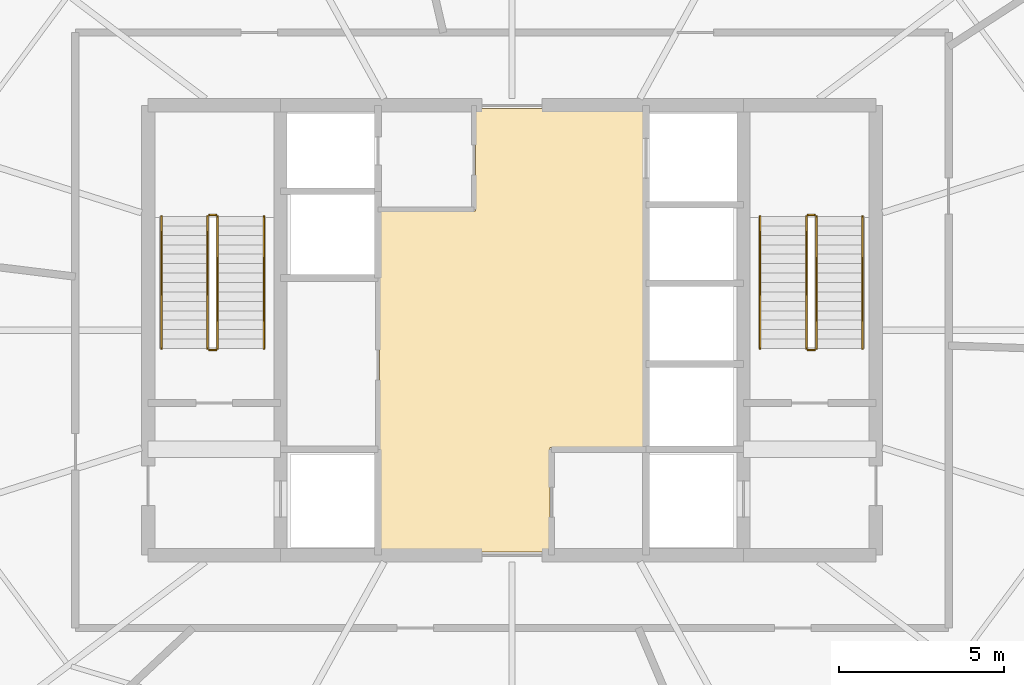
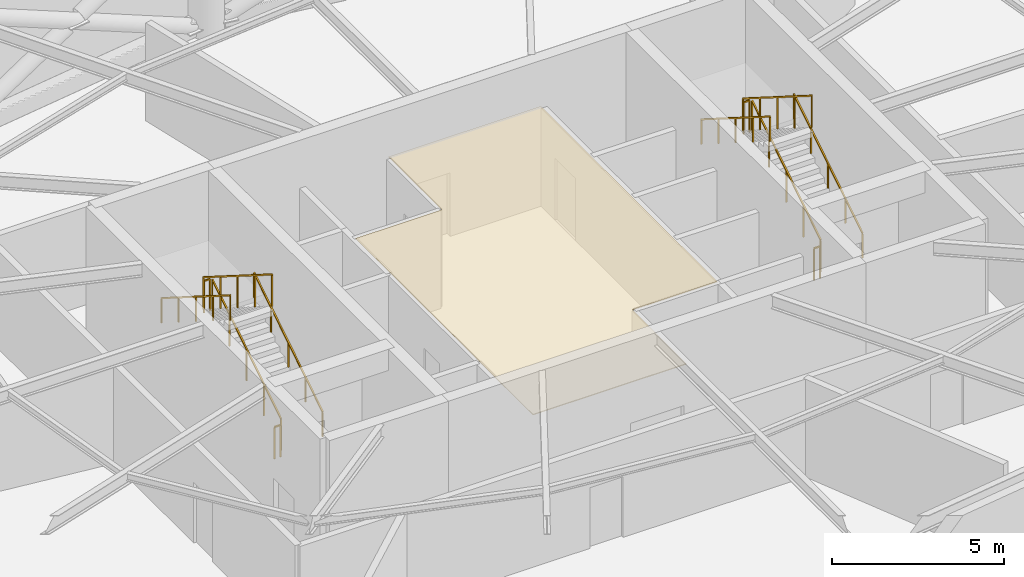
# One storey, part 7 of 7: 12 railings, 1 covering.
"""IFC4 building model written with IfcOpenShell, lengths in metres."""

from ifc_helpers import new_model, si_unit, direction, frame, origin, origin_2d, place, context, subcontext, project, spatial, polyline, rectangle, outline, extrude, material, layer, layer_set, type_object, element, save


model = new_model("IFC4")

# Units and contexts
model_context = context("Model", 3, precision=1e-05, world=origin(), true_north=direction((0.0, 1.0)))
body_context = subcontext(model_context, "Body", "Model", "MODEL_VIEW")
ifc_project = project(units=[si_unit("LENGTHUNIT", "METRE"), si_unit("AREAUNIT", "SQUARE_METRE"), si_unit("VOLUMEUNIT", "CUBIC_METRE"), si_unit("PLANEANGLEUNIT", "RADIAN"), si_unit("MASSUNIT", "GRAM", prefix="KILO")], contexts=[model_context])

# Site, building, storey
site_placement = place(None, origin())
site = spatial("IfcSite", under=ifc_project, at=site_placement, CompositionType="ELEMENT")
building_placement = place(site_placement, origin())
building = spatial("IfcBuilding", under=site, at=building_placement, Name="Sarneth Arch Tower", CompositionType="ELEMENT")
storey_placement = place(building_placement, frame((0.0, 0.0, 256.800048828125)))
storey = spatial("IfcBuildingStorey", under=building, at=storey_placement, Name="L66", CompositionType="ELEMENT", Elevation=256.800048828125)

# Covering
ifc_material_1 = material(Name="Perforated acoustic gypsum ceiling board")
ifc_layer = layer(ifc_material_1, 0.02490234375)
ifc_layer_set = layer_set([ifc_layer], Name="Perforated acoustic gypsum ceiling board")
covering_type = type_object("IfcCoveringType", Name="COV-CEIL-GYP", PredefinedType="CEILING", material=ifc_layer_set)
covering_placement = place(storey_placement, frame((0.0, 0.0, 3.43994140625)))
element("IfcCovering", 1, at=covering_placement, inside=storey, type_object=covering_type, Name="L66 Lift lobby acoustic ceiling", PredefinedType="CEILING", context=body_context, shape_type="SweptSolid", body=[
    extrude(outline(polyline([(49.14990234375, 38.449951171875), (49.14990234375, 35.300048828125), (44.0, 35.300048828125), (44.0, 45.60009765625), (46.89990234375, 45.60009765625), (46.89990234375, 48.699951171875), (52.0, 48.699951171875), (52.0, 38.449951171875), (49.14990234375, 38.449951171875)])), origin(), (0.0, 0.0, 1.0), 0.030029296875),
])

# Railings
ifc_material_2 = material(Name="Brushed Stainless Steel 304 tubular handrail", Category="steel")
railing_type_1 = type_object("IfcRailingType", Name="RAIL-HANDRAIL-900", PredefinedType="HANDRAIL", material=ifc_material_2)
railing_1_placement = place(storey_placement, frame((40.5, 41.449951171875, 0.179931640625)))
element("IfcRailing", 2, at=railing_1_placement, inside=storey, type_object=railing_type_1, Name="L66 ST-1 stair handrail 1", PredefinedType="HANDRAIL", context=body_context, shape_type="SweptSolid", body=[
    extrude(rectangle(XDim=0.048095703125, YDim=0.048095703125, at=origin_2d()), frame((0.0, 0.0, 0.8759765625), z_axis=(0.0, 0.845486444383, 0.533996884227), x_axis=(-1.0, 0.0, 0.0)), (0.0, 0.0, 1.0), 4.71923828125),
    extrude(rectangle(XDim=0.0419921875, YDim=0.0419921875, at=origin_2d()), origin(), (0.0, 0.0, 1.0), 0.851806640625),
    extrude(rectangle(XDim=0.0419921875, YDim=0.0419921875, at=origin_2d()), frame((0.0, 0.99755859375, 0.6298828125)), (0.0, 0.0, 1.0), 0.851806640625),
    extrude(rectangle(XDim=0.0419921875, YDim=0.0419921875, at=origin_2d()), frame((0.0, 1.9951171875, 1.260009765625)), (0.0, 0.0, 1.0), 0.851806640625),
    extrude(rectangle(XDim=0.0419921875, YDim=0.0419921875, at=origin_2d()), frame((0.0, 2.992431640625, 1.89013671875)), (0.0, 0.0, 1.0), 0.851806640625),
    extrude(rectangle(XDim=0.0419921875, YDim=0.0419921875, at=origin_2d()), frame((0.0, 3.989990234375, 2.52001953125)), (0.0, 0.0, 1.0), 0.851806640625),
])
railing_2_placement = place(storey_placement, frame((37.39990234375, 45.43994140625, 2.8798828125)))
element("IfcRailing", 3, at=railing_2_placement, inside=storey, type_object=railing_type_1, Name="L66 ST-1 stair handrail 2", PredefinedType="HANDRAIL", context=body_context, shape_type="SweptSolid", body=[
    extrude(rectangle(XDim=0.048095703125, YDim=0.048095703125, at=origin_2d()), frame((0.0, 0.0, 0.8759765625), z_axis=(0.0, -0.845486444383, 0.533996884227), x_axis=(1.0, 0.0, 0.0)), (0.0, 0.0, 1.0), 4.71923828125),
    extrude(rectangle(XDim=0.0419921875, YDim=0.0419921875, at=origin_2d()), origin(), (0.0, 0.0, 1.0), 0.851806640625),
    extrude(rectangle(XDim=0.0419921875, YDim=0.0419921875, at=origin_2d()), frame((0.0, -0.99755859375, 0.6298828125)), (0.0, 0.0, 1.0), 0.851806640625),
    extrude(rectangle(XDim=0.0419921875, YDim=0.0419921875, at=origin_2d()), frame((0.0, -1.9951171875, 1.260009765625)), (0.0, 0.0, 1.0), 0.851806640625),
    extrude(rectangle(XDim=0.0419921875, YDim=0.0419921875, at=origin_2d()), frame((0.0, -2.992431640625, 1.89013671875)), (0.0, 0.0, 1.0), 0.851806640625),
    extrude(rectangle(XDim=0.0419921875, YDim=0.0419921875, at=origin_2d()), frame((0.0, -3.989990234375, 2.52001953125)), (0.0, 0.0, 1.0), 0.851806640625),
])
railing_3_placement = place(storey_placement, frame((58.60009765625, 41.449951171875, 0.179931640625)))
element("IfcRailing", 4, at=railing_3_placement, inside=storey, type_object=railing_type_1, Name="L66 ST-2 stair handrail 1", PredefinedType="HANDRAIL", context=body_context, shape_type="SweptSolid", body=[
    extrude(rectangle(XDim=0.048095703125, YDim=0.048095703125, at=origin_2d()), frame((0.0, 0.0, 0.8759765625), z_axis=(0.0, 0.845486444383, 0.533996884227), x_axis=(-1.0, 0.0, 0.0)), (0.0, 0.0, 1.0), 4.71923828125),
    extrude(rectangle(XDim=0.0419921875, YDim=0.0419921875, at=origin_2d()), origin(), (0.0, 0.0, 1.0), 0.851806640625),
    extrude(rectangle(XDim=0.0419921875, YDim=0.0419921875, at=origin_2d()), frame((0.0, 0.99755859375, 0.6298828125)), (0.0, 0.0, 1.0), 0.851806640625),
    extrude(rectangle(XDim=0.0419921875, YDim=0.0419921875, at=origin_2d()), frame((0.0, 1.9951171875, 1.260009765625)), (0.0, 0.0, 1.0), 0.851806640625),
    extrude(rectangle(XDim=0.0419921875, YDim=0.0419921875, at=origin_2d()), frame((0.0, 2.992431640625, 1.89013671875)), (0.0, 0.0, 1.0), 0.851806640625),
    extrude(rectangle(XDim=0.0419921875, YDim=0.0419921875, at=origin_2d()), frame((0.0, 3.989990234375, 2.52001953125)), (0.0, 0.0, 1.0), 0.851806640625),
])
railing_4_placement = place(storey_placement, frame((55.5, 45.43994140625, 2.8798828125)))
element("IfcRailing", 5, at=railing_4_placement, inside=storey, type_object=railing_type_1, Name="L66 ST-2 stair handrail 2", PredefinedType="HANDRAIL", context=body_context, shape_type="SweptSolid", body=[
    extrude(rectangle(XDim=0.048095703125, YDim=0.048095703125, at=origin_2d()), frame((0.0, 0.0, 0.8759765625), z_axis=(0.0, -0.845486444383, 0.533996884227), x_axis=(1.0, 0.0, 0.0)), (0.0, 0.0, 1.0), 4.71923828125),
    extrude(rectangle(XDim=0.0419921875, YDim=0.0419921875, at=origin_2d()), origin(), (0.0, 0.0, 1.0), 0.851806640625),
    extrude(rectangle(XDim=0.0419921875, YDim=0.0419921875, at=origin_2d()), frame((0.0, -0.99755859375, 0.6298828125)), (0.0, 0.0, 1.0), 0.851806640625),
    extrude(rectangle(XDim=0.0419921875, YDim=0.0419921875, at=origin_2d()), frame((0.0, -1.9951171875, 1.260009765625)), (0.0, 0.0, 1.0), 0.851806640625),
    extrude(rectangle(XDim=0.0419921875, YDim=0.0419921875, at=origin_2d()), frame((0.0, -2.992431640625, 1.89013671875)), (0.0, 0.0, 1.0), 0.851806640625),
    extrude(rectangle(XDim=0.0419921875, YDim=0.0419921875, at=origin_2d()), frame((0.0, -3.989990234375, 2.52001953125)), (0.0, 0.0, 1.0), 0.851806640625),
])
ifc_material_3 = material(Name="Painted Steel S275 stair well guard", Category="steel")
railing_type_2 = type_object("IfcRailingType", Name="RAIL-STAIR-GUARD", PredefinedType="GUARDRAIL", material=ifc_material_3)
railing_5_placement = place(storey_placement, frame((39.10009765625, 41.449951171875, 0.179931640625)))
element("IfcRailing", 6, at=railing_5_placement, inside=storey, type_object=railing_type_2, Name="L66 ST-1 stair guard 1", PredefinedType="GUARDRAIL", context=body_context, shape_type="SweptSolid", body=[
    extrude(rectangle(XDim=0.048095703125, YDim=0.048095703125, at=origin_2d()), frame((0.0, 0.0, 1.1259765625), z_axis=(0.0, 0.845486444383, 0.533996884227), x_axis=(-1.0, 0.0, 0.0)), (0.0, 0.0, 1.0), 4.71923828125),
    extrude(rectangle(XDim=0.0419921875, YDim=0.0419921875, at=origin_2d()), origin(), (0.0, 0.0, 1.0), 1.101806640625),
    extrude(rectangle(XDim=0.0419921875, YDim=0.0419921875, at=origin_2d()), frame((0.0, 0.99755859375, 0.6298828125)), (0.0, 0.0, 1.0), 1.101806640625),
    extrude(rectangle(XDim=0.0419921875, YDim=0.0419921875, at=origin_2d()), frame((0.0, 1.9951171875, 1.260009765625)), (0.0, 0.0, 1.0), 1.101806640625),
    extrude(rectangle(XDim=0.0419921875, YDim=0.0419921875, at=origin_2d()), frame((0.0, 2.992431640625, 1.89013671875)), (0.0, 0.0, 1.0), 1.101806640625),
    extrude(rectangle(XDim=0.0419921875, YDim=0.0419921875, at=origin_2d()), frame((0.0, 3.989990234375, 2.52001953125)), (0.0, 0.0, 1.0), 1.101806640625),
])
railing_6_placement = place(storey_placement, frame((39.050048828125, 45.489990234375, 2.699951171875)))
element("IfcRailing", 7, at=railing_6_placement, inside=storey, type_object=railing_type_2, Name="L66 ST-1 stair guard 2", PredefinedType="GUARDRAIL", context=body_context, shape_type="SweptSolid", body=[
    extrude(rectangle(XDim=0.048095703125, YDim=0.048095703125, at=origin_2d()), frame((0.0, 0.0, 1.1259765625), z_axis=(-1.0, 0.0, 0.0), x_axis=(0.0, -1.0, 0.0)), (0.0, 0.0, 1.0), 0.199951171875),
    extrude(rectangle(XDim=0.0419921875, YDim=0.0419921875, at=origin_2d()), origin(), (0.0, 0.0, 1.0), 1.101806640625),
    extrude(rectangle(XDim=0.0419921875, YDim=0.0419921875, at=origin_2d()), frame((-0.199951171875, 0.0, 0.0)), (0.0, 0.0, 1.0), 1.101806640625),
])
railing_7_placement = place(storey_placement, frame((38.800048828125, 45.43994140625, 2.8798828125)))
element("IfcRailing", 8, at=railing_7_placement, inside=storey, type_object=railing_type_2, Name="L66 ST-1 stair guard 3", PredefinedType="GUARDRAIL", context=body_context, shape_type="SweptSolid", body=[
    extrude(rectangle(XDim=0.048095703125, YDim=0.048095703125, at=origin_2d()), frame((0.0, 0.0, 1.1259765625), z_axis=(0.0, -0.845486444383, 0.533996884227), x_axis=(1.0, 0.0, 0.0)), (0.0, 0.0, 1.0), 4.71923828125),
    extrude(rectangle(XDim=0.0419921875, YDim=0.0419921875, at=origin_2d()), origin(), (0.0, 0.0, 1.0), 1.101806640625),
    extrude(rectangle(XDim=0.0419921875, YDim=0.0419921875, at=origin_2d()), frame((0.0, -0.99755859375, 0.6298828125)), (0.0, 0.0, 1.0), 1.101806640625),
    extrude(rectangle(XDim=0.0419921875, YDim=0.0419921875, at=origin_2d()), frame((0.0, -1.9951171875, 1.260009765625)), (0.0, 0.0, 1.0), 1.101806640625),
    extrude(rectangle(XDim=0.0419921875, YDim=0.0419921875, at=origin_2d()), frame((0.0, -2.992431640625, 1.89013671875)), (0.0, 0.0, 1.0), 1.101806640625),
    extrude(rectangle(XDim=0.0419921875, YDim=0.0419921875, at=origin_2d()), frame((0.0, -3.989990234375, 2.52001953125)), (0.0, 0.0, 1.0), 1.101806640625),
])
railing_8_placement = place(storey_placement, frame((39.050048828125, 41.39990234375, 0.0)))
element("IfcRailing", 9, at=railing_8_placement, inside=storey, type_object=railing_type_2, Name="L66 ST-1 stair guard 4", PredefinedType="GUARDRAIL", context=body_context, shape_type="SweptSolid", body=[
    extrude(rectangle(XDim=0.048095703125, YDim=0.048095703125, at=origin_2d()), frame((0.0, 0.0, 1.1259765625), z_axis=(-1.0, 0.0, 0.0), x_axis=(0.0, -1.0, 0.0)), (0.0, 0.0, 1.0), 0.199951171875),
    extrude(rectangle(XDim=0.0419921875, YDim=0.0419921875, at=origin_2d()), origin(), (0.0, 0.0, 1.0), 1.101806640625),
    extrude(rectangle(XDim=0.0419921875, YDim=0.0419921875, at=origin_2d()), frame((-0.199951171875, 0.0, 0.0)), (0.0, 0.0, 1.0), 1.101806640625),
])
railing_9_placement = place(storey_placement, frame((57.199951171875, 41.449951171875, 0.179931640625)))
element("IfcRailing", 10, at=railing_9_placement, inside=storey, type_object=railing_type_2, Name="L66 ST-2 stair guard 1", PredefinedType="GUARDRAIL", context=body_context, shape_type="SweptSolid", body=[
    extrude(rectangle(XDim=0.048095703125, YDim=0.048095703125, at=origin_2d()), frame((0.0, 0.0, 1.1259765625), z_axis=(0.0, 0.845486444383, 0.533996884227), x_axis=(-1.0, 0.0, 0.0)), (0.0, 0.0, 1.0), 4.71923828125),
    extrude(rectangle(XDim=0.0419921875, YDim=0.0419921875, at=origin_2d()), origin(), (0.0, 0.0, 1.0), 1.101806640625),
    extrude(rectangle(XDim=0.0419921875, YDim=0.0419921875, at=origin_2d()), frame((0.0, 0.99755859375, 0.6298828125)), (0.0, 0.0, 1.0), 1.101806640625),
    extrude(rectangle(XDim=0.0419921875, YDim=0.0419921875, at=origin_2d()), frame((0.0, 1.9951171875, 1.260009765625)), (0.0, 0.0, 1.0), 1.101806640625),
    extrude(rectangle(XDim=0.0419921875, YDim=0.0419921875, at=origin_2d()), frame((0.0, 2.992431640625, 1.89013671875)), (0.0, 0.0, 1.0), 1.101806640625),
    extrude(rectangle(XDim=0.0419921875, YDim=0.0419921875, at=origin_2d()), frame((0.0, 3.989990234375, 2.52001953125)), (0.0, 0.0, 1.0), 1.101806640625),
])
railing_10_placement = place(storey_placement, frame((57.14990234375, 45.489990234375, 2.699951171875)))
element("IfcRailing", 11, at=railing_10_placement, inside=storey, type_object=railing_type_2, Name="L66 ST-2 stair guard 2", PredefinedType="GUARDRAIL", context=body_context, shape_type="SweptSolid", body=[
    extrude(rectangle(XDim=0.048095703125, YDim=0.048095703125, at=origin_2d()), frame((0.0, 0.0, 1.1259765625), z_axis=(-1.0, 0.0, 0.0), x_axis=(0.0, -1.0, 0.0)), (0.0, 0.0, 1.0), 0.199951171875),
    extrude(rectangle(XDim=0.0419921875, YDim=0.0419921875, at=origin_2d()), origin(), (0.0, 0.0, 1.0), 1.101806640625),
    extrude(rectangle(XDim=0.0419921875, YDim=0.0419921875, at=origin_2d()), frame((-0.199951171875, 0.0, 0.0)), (0.0, 0.0, 1.0), 1.101806640625),
])
railing_11_placement = place(storey_placement, frame((56.89990234375, 45.43994140625, 2.8798828125)))
element("IfcRailing", 12, at=railing_11_placement, inside=storey, type_object=railing_type_2, Name="L66 ST-2 stair guard 3", PredefinedType="GUARDRAIL", context=body_context, shape_type="SweptSolid", body=[
    extrude(rectangle(XDim=0.048095703125, YDim=0.048095703125, at=origin_2d()), frame((0.0, 0.0, 1.1259765625), z_axis=(0.0, -0.845486444383, 0.533996884227), x_axis=(1.0, 0.0, 0.0)), (0.0, 0.0, 1.0), 4.71923828125),
    extrude(rectangle(XDim=0.0419921875, YDim=0.0419921875, at=origin_2d()), origin(), (0.0, 0.0, 1.0), 1.101806640625),
    extrude(rectangle(XDim=0.0419921875, YDim=0.0419921875, at=origin_2d()), frame((0.0, -0.99755859375, 0.6298828125)), (0.0, 0.0, 1.0), 1.101806640625),
    extrude(rectangle(XDim=0.0419921875, YDim=0.0419921875, at=origin_2d()), frame((0.0, -1.9951171875, 1.260009765625)), (0.0, 0.0, 1.0), 1.101806640625),
    extrude(rectangle(XDim=0.0419921875, YDim=0.0419921875, at=origin_2d()), frame((0.0, -2.992431640625, 1.89013671875)), (0.0, 0.0, 1.0), 1.101806640625),
    extrude(rectangle(XDim=0.0419921875, YDim=0.0419921875, at=origin_2d()), frame((0.0, -3.989990234375, 2.52001953125)), (0.0, 0.0, 1.0), 1.101806640625),
])
railing_12_placement = place(storey_placement, frame((57.14990234375, 41.39990234375, 0.0)))
element("IfcRailing", 13, at=railing_12_placement, inside=storey, type_object=railing_type_2, Name="L66 ST-2 stair guard 4", PredefinedType="GUARDRAIL", context=body_context, shape_type="SweptSolid", body=[
    extrude(rectangle(XDim=0.048095703125, YDim=0.048095703125, at=origin_2d()), frame((0.0, 0.0, 1.1259765625), z_axis=(-1.0, 0.0, 0.0), x_axis=(0.0, -1.0, 0.0)), (0.0, 0.0, 1.0), 0.199951171875),
    extrude(rectangle(XDim=0.0419921875, YDim=0.0419921875, at=origin_2d()), origin(), (0.0, 0.0, 1.0), 1.101806640625),
    extrude(rectangle(XDim=0.0419921875, YDim=0.0419921875, at=origin_2d()), frame((-0.199951171875, 0.0, 0.0)), (0.0, 0.0, 1.0), 1.101806640625),
])

save(model, "model.ifc")
